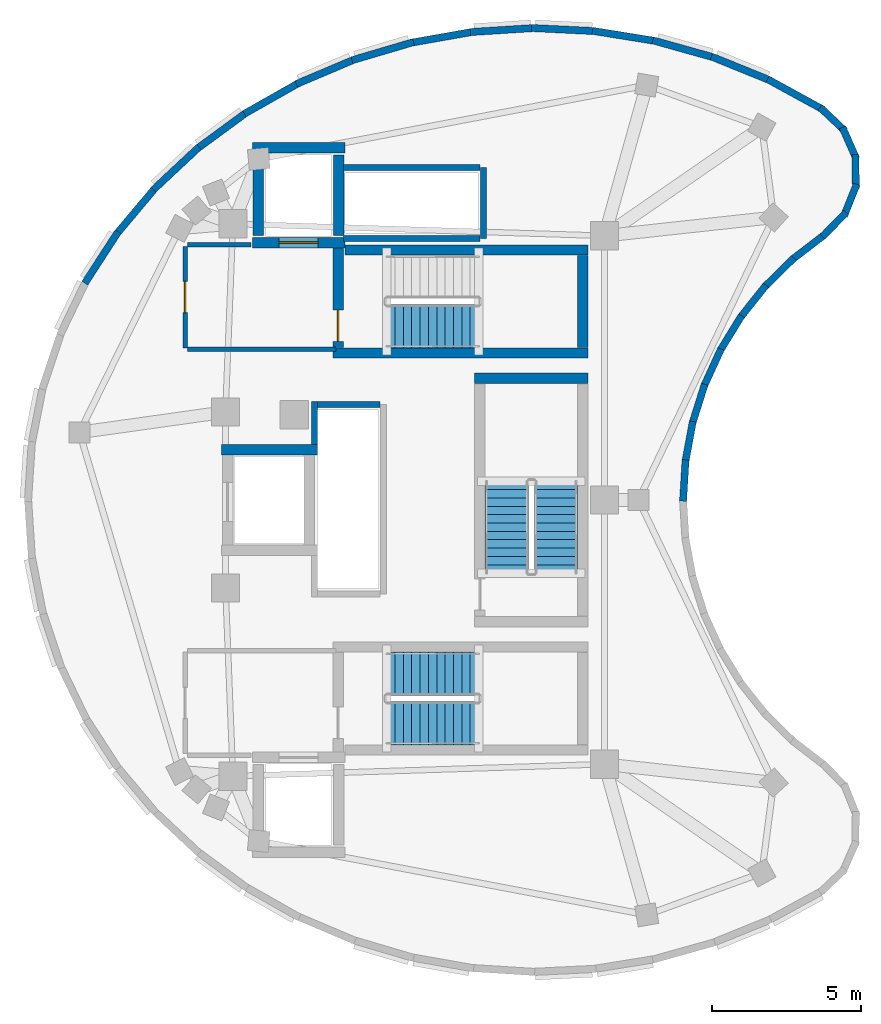
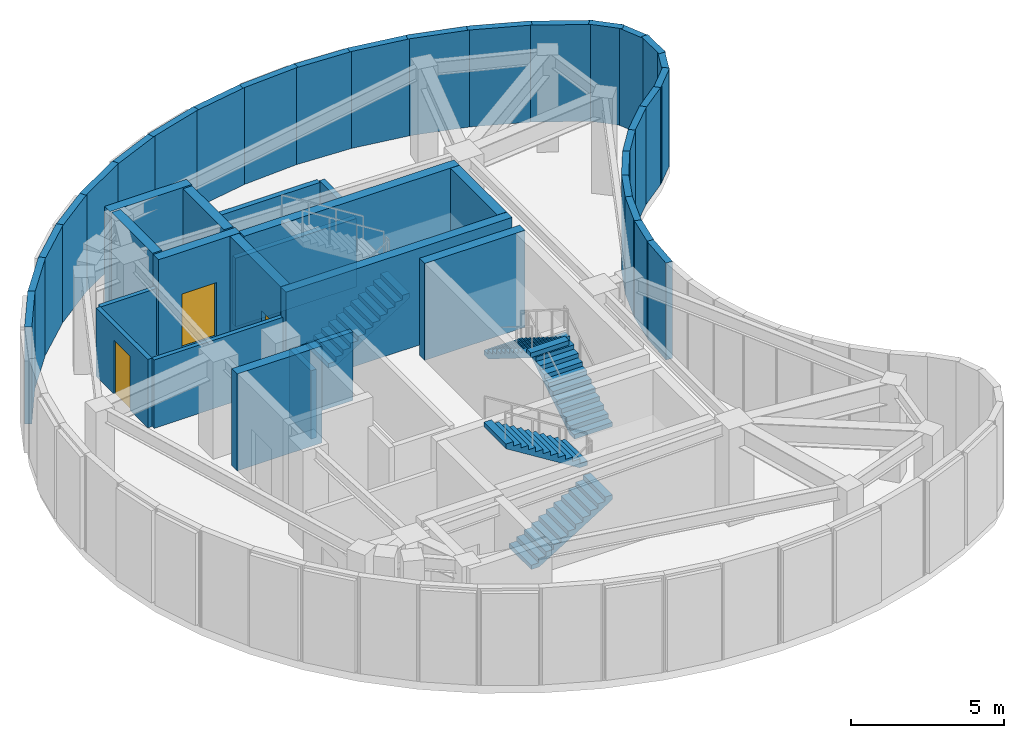
# One storey, part 3 of 5: 45 walls, 5 stair flights, 3 doors, 3 openings, 3 elements without a shape of their own.
"""IFC4 building model written with IfcOpenShell, lengths in metres."""

import ifcopenshell
import ifcopenshell.guid

model = None  # the IFC model being written
_history = None  # IfcOwnerHistory: only IFC2X3 demands one
_inside = {}  # id of a spatial element -> (the spatial element, [elements in it])
_under = {}  # id of a project, library or spatial element -> (it, [spatial elements below it])
_declared = {}  # id of a project -> (the project, [libraries it declares])
_typed = {}  # id of a type object -> (the type object, [elements of that type])
_made_of = {}  # id of a material, layer set ... -> (it, [elements and type objects made of it])


def new_model(schema):
    """Start an empty IFC model of exactly this schema.

    Asked for "IFC4X3", IfcOpenShell would pick the latest addendum, in which some entities
    have other attributes; the version numbers below select the first issue.
    IFC2X3 requires an IfcOwnerHistory on every rooted entity: one is made here for all.
    """
    global model, _history
    if schema == "IFC4X3":
        model = ifcopenshell.file(schema_version=(4, 3, 0, 0))
    else:
        model = ifcopenshell.file(schema=schema)
    _inside.clear()
    _under.clear()
    _declared.clear()
    _typed.clear()
    _made_of.clear()
    _history = None
    if model.schema == "IFC2X3":
        org = make("IfcOrganization", Name="unknown")
        user = make(
            "IfcPersonAndOrganization",
            ThePerson=make("IfcPerson", FamilyName="unknown"),
            TheOrganization=org,
        )
        app = make(
            "IfcApplication",
            ApplicationDeveloper=org,
            Version="unknown",
            ApplicationFullName="unknown",
            ApplicationIdentifier="unknown",
        )
        _history = make(
            "IfcOwnerHistory",
            OwningUser=user,
            OwningApplication=app,
            ChangeAction="ADDED",
            CreationDate=0,
        )
    return model


def make(cls, **values):
    """One entity of the class cls with the attributes given. An attribute that is None is left unset."""
    return model.create_entity(
        cls, **{name: value for name, value in values.items() if value is not None}
    )


def rooted(cls, **values):
    """An entity with a GlobalId (a new one), such as an element, a storey or a relation."""
    return make(cls, GlobalId=ifcopenshell.guid.new(), OwnerHistory=_history, **values)


def si_unit(unit_type, name, prefix=None):
    """IfcSIUnit, for example si_unit("LENGTHUNIT", "METRE", prefix="MILLI")."""
    return make("IfcSIUnit", UnitType=unit_type, Prefix=prefix, Name=name)


def assignment(units):
    """IfcUnitAssignment: the units of a project."""
    return None if units is None else make("IfcUnitAssignment", Units=units)


def point(xyz):
    """IfcCartesianPoint."""
    return None if xyz is None else make("IfcCartesianPoint", Coordinates=xyz)


def direction(xyz):
    """IfcDirection."""
    return None if xyz is None else make("IfcDirection", DirectionRatios=xyz)


def frame(location, z_axis=None, x_axis=None):
    """IfcAxis2Placement3D, a coordinate frame: its origin and axes. An axis left out is left unset."""
    return make(
        "IfcAxis2Placement3D",
        Location=point(location),
        Axis=direction(z_axis),
        RefDirection=direction(x_axis),
    )


def frame_2d(location, x_axis=None):
    """IfcAxis2Placement2D, a coordinate frame in the plane: its origin and x axis."""
    return make(
        "IfcAxis2Placement2D", Location=point(location), RefDirection=direction(x_axis)
    )


def origin():
    """The frame at (0, 0, 0) with its axes left unset."""
    return frame((0.0, 0.0, 0.0))


def place(relative_to, where):
    """IfcLocalPlacement: puts the frame where relative to a parent placement (None: the world)."""
    return make(
        "IfcLocalPlacement", PlacementRelTo=relative_to, RelativePlacement=where
    )


def context(
    kind, dimensions, precision=None, world=None, true_north=None, identifier=None
):
    """IfcGeometricRepresentationContext, for example the 3D "Model" context."""
    return make(
        "IfcGeometricRepresentationContext",
        ContextIdentifier=identifier,
        ContextType=kind,
        CoordinateSpaceDimension=dimensions,
        Precision=precision,
        WorldCoordinateSystem=world,
        TrueNorth=true_north,
    )


def subcontext(parent, identifier, kind, view, scale=None):
    """IfcGeometricRepresentationSubContext, for example "Body" below "Model"."""
    return make(
        "IfcGeometricRepresentationSubContext",
        ContextIdentifier=identifier,
        ContextType=kind,
        ParentContext=parent,
        TargetScale=scale,
        TargetView=view,
    )


def project(units=None, contexts=None):
    """IfcProject with its units and contexts."""
    return rooted(
        "IfcProject",
        Name="project",
        RepresentationContexts=contexts,
        UnitsInContext=assignment(units),
    )


def spatial(cls, under=None, at=None, **own):
    """A site, building, storey or space (cls), placed at a placement, below another one or the project."""
    s = rooted(cls, ObjectPlacement=at, **own)
    if under is not None:
        _under.setdefault(under.id(), (under, []))[1].append(s)
    return s


def polyline(points):
    """IfcPolyline through the points."""
    return make("IfcPolyline", Points=[point(p) for p in points])


def profile(cls, at=None, kind="AREA", **sizes):
    """A parametric profile (cls). Its sizes go by their IFC names, for example OverallWidth=200.0."""
    return make(cls, ProfileType=kind, Position=at, **sizes)


def rectangle(**sizes):
    """IfcRectangleProfileDef."""
    return profile("IfcRectangleProfileDef", **sizes)


def outline(outer, holes=None, kind="AREA"):
    """IfcArbitraryClosedProfileDef: a profile drawn as a closed curve; with holes, ...WithVoids."""
    if holes is None:
        return make("IfcArbitraryClosedProfileDef", ProfileType=kind, OuterCurve=outer)
    return make(
        "IfcArbitraryProfileDefWithVoids",
        ProfileType=kind,
        OuterCurve=outer,
        InnerCurves=holes,
    )


def extrude(swept, where, along, depth):
    """IfcExtrudedAreaSolid: the profile swept, set in the frame where, extruded along a direction by depth."""
    return make(
        "IfcExtrudedAreaSolid",
        SweptArea=swept,
        Position=where,
        ExtrudedDirection=direction(along),
        Depth=depth,
    )


def shape(context_of_items, identifier, shape_type, items):
    """IfcShapeRepresentation: the items that make up one representation, for example the "Body"."""
    return make(
        "IfcShapeRepresentation",
        ContextOfItems=context_of_items,
        RepresentationIdentifier=identifier,
        RepresentationType=shape_type,
        Items=items,
    )


def material(Name=None, Category=None):
    """IfcMaterial."""
    return make("IfcMaterial", Name=Name, Category=Category)


def layer(
    of_material, thickness, ventilated=None, Name=None, Category=None, Priority=None
):
    """IfcMaterialLayer: one layer of a wall or slab, of a material (None: an air gap)."""
    return make(
        "IfcMaterialLayer",
        Material=of_material,
        LayerThickness=thickness,
        IsVentilated=ventilated,
        Name=Name,
        Category=Category,
        Priority=Priority,
    )


def layer_set(layers, Name=None):
    """IfcMaterialLayerSet."""
    return make("IfcMaterialLayerSet", MaterialLayers=layers, LayerSetName=Name)


def made_of(thing, what):
    """Note that an element or type object is made of a material, layer set ...; save() writes the relation."""
    if what is not None:
        _made_of.setdefault(what.id(), (what, []))[1].append(thing)
    return thing


def type_object(cls, material=None, **own):
    """A type object (cls), such as IfcWallType, which elements share."""
    return made_of(rooted(cls, **own), material)


def element(
    cls,
    number,
    at=None,
    inside=None,
    cuts=None,
    type_object=None,
    material=None,
    context=None,
    identifier="Body",
    shape_type=None,
    held_by="IfcProductDefinitionShape",
    body=None,
    shapes=None,
    **own,
):
    """One element of the class cls, such as IfcWall. Its Tag is "e" and its number.

    at: its placement. inside: the storey or other place that contains it. cuts: it is an
    opening in that element (IfcRelVoidsElement). A single representation is given by context,
    identifier, shape_type and body (its items); several are given by shapes. held_by: the class
    of the entity that holds the representations. save() writes the other relations.
    """
    e = rooted(cls, Tag="e%d" % number, ObjectPlacement=at, **own)
    if body is not None:
        shapes = [shape(context, identifier, shape_type, body)]
    if shapes is not None:
        e.Representation = make(held_by, Representations=shapes)
    if inside is not None:
        _inside.setdefault(inside.id(), (inside, []))[1].append(e)
    if cuts is not None:
        rooted(
            "IfcRelVoidsElement", RelatingBuildingElement=cuts, RelatedOpeningElement=e
        )
    if type_object is not None:
        _typed.setdefault(type_object.id(), (type_object, []))[1].append(e)
    return made_of(e, material)


def fill(opening, filler):
    """IfcRelFillsElement: the door or window that sits in an opening."""
    return rooted(
        "IfcRelFillsElement",
        RelatingOpeningElement=opening,
        RelatedBuildingElement=filler,
    )


def aggregate(whole, parts):
    """IfcRelAggregates: a whole, such as a stair, and the parts it consists of."""
    return rooted("IfcRelAggregates", RelatingObject=whole, RelatedObjects=parts)


def save(model, path):
    """Write the relations noted so far, then the file.

    IfcRelAggregates (storeys below a building ...), IfcRelContainedInSpatialStructure (elements
    in a storey), IfcRelDefinesByType, IfcRelAssociatesMaterial and IfcRelDeclares: one each for
    every whole, place, type object, material and project.
    """
    for whole, parts in _under.values():
        aggregate(whole, parts)
    for where, things in _inside.values():
        rooted(
            "IfcRelContainedInSpatialStructure",
            RelatedElements=things,
            RelatingStructure=where,
        )
    for kind, things in _typed.values():
        rooted("IfcRelDefinesByType", RelatedObjects=things, RelatingType=kind)
    for what, things in _made_of.values():
        rooted("IfcRelAssociatesMaterial", RelatedObjects=things, RelatingMaterial=what)
    for by, libraries in _declared.values():
        rooted("IfcRelDeclares", RelatingContext=by, RelatedDefinitions=libraries)
    model.write(path)


model = new_model("IFC4")

# Units and contexts
model_context = context("Model", 3, precision=1e-05, world=origin(), true_north=direction((0.0, 1.0)))
body_context = subcontext(model_context, "Body", "Model", "MODEL_VIEW")
ifc_project = project(units=[si_unit("LENGTHUNIT", "METRE"), si_unit("AREAUNIT", "SQUARE_METRE"), si_unit("VOLUMEUNIT", "CUBIC_METRE"), si_unit("PLANEANGLEUNIT", "RADIAN"), si_unit("MASSUNIT", "GRAM", prefix="KILO")], contexts=[model_context])

# Site, building, storey
site_placement = place(None, origin())
site = spatial("IfcSite", under=ifc_project, at=site_placement, CompositionType="ELEMENT")
building_placement = place(site_placement, origin())
building = spatial("IfcBuilding", under=site, at=building_placement, Name="Korentha Bioscience Tower", CompositionType="ELEMENT")
storey_placement = place(building_placement, frame((0.0, 0.0, 335.39990234375)))
storey = spatial("IfcBuildingStorey", under=building, at=storey_placement, Name="L77", CompositionType="ELEMENT", Elevation=335.39990234375)

# Wall, opening, door
ifc_material_1 = material(Name="Gypsum-Clad Steel Stud", Category="steel")
ifc_layer_1 = layer(ifc_material_1, 0.159912109375, Name="Gypsum-Clad Steel Stud")
ifc_layer_set_1 = layer_set([ifc_layer_1], Name="Gypsum-Clad Steel Stud (IW-C160)")
wall_type_1 = type_object("IfcWallType", Name="Fire-Rated Corridor Partition Wall 160", PredefinedType="PARTITIONING", material=ifc_layer_set_1)
wall_1_placement = place(storey_placement, frame((23.5, 32.10009765625, 0.0), z_axis=(0.0, 0.0, 1.0), x_axis=(0.0, 1.0, 0.0)))
wall_1 = element("IfcWall", 1, at=wall_1_placement, inside=storey, type_object=wall_type_1, Name="L77 FFLN-CW Rated Enclosure Wall", PredefinedType="PARTITIONING", context=body_context, shape_type="SweptSolid", body=[
    extrude(rectangle(XDim=3.39990234375, YDim=0.159912109375, at=frame_2d((1.699951171875, 0.0))), origin(), (0.0, 0.0, 1.0), 2.739990234375),
])
opening_1_placement = place(wall_1_placement, frame((1.175048828125, 0.0, 0.0)))
opening_1 = element("IfcOpeningElement", 2, at=opening_1_placement, cuts=wall_1, Name="Opening FD-90R", PredefinedType="OPENING", context=body_context, shape_type="SweptSolid", body=[
    extrude(rectangle(XDim=1.050048828125, YDim=2.14990234375, at=frame_2d((0.52490234375, 1.074951171875))), frame((0.0, 0.0947265625, 0.0), z_axis=(0.0, -1.0, 0.0), x_axis=(1.0, 0.0, 0.0)), (0.0, 0.0, 1.0), 0.189697265625),
])
ifc_material_2 = material(Name="Powder-Coated Fire-Rated Steel", Category="steel")
door_type_1 = type_object("IfcDoorType", Name="Stairwell Fire Exit Door 1050x2150 Right", OperationType="SINGLE_SWING_RIGHT", PredefinedType="DOOR", material=ifc_material_2)
door_1_placement = place(opening_1_placement, origin())
door_1 = element("IfcDoor", 3, at=door_1_placement, inside=storey, type_object=door_type_1, Name="L77 North Firefighting Lobby Door", OperationType="SINGLE_SWING_RIGHT", OverallHeight=2.14990234375, OverallWidth=1.050048828125, PredefinedType="DOOR", context=body_context, shape_type="SweptSolid", body=[
    extrude(rectangle(XDim=1.050048828125, YDim=2.14990234375, at=frame_2d((0.52490234375, 1.074951171875))), frame((0.0, 0.02490234375, 0.0), z_axis=(0.0, -1.0, 0.0), x_axis=(1.0, 0.0, 0.0)), (0.0, 0.0, 1.0), 0.050048828125),
])
fill(opening_1, door_1)

# Walls
wall_2_placement = place(storey_placement, frame((23.580078125, 32.050048828125, 0.0), z_axis=(0.0, 0.0, 1.0), x_axis=(1.0, 0.0, 0.0)))
element("IfcWall", 4, at=wall_2_placement, inside=storey, type_object=wall_type_1, Name="L77 Firefighting Lobby Return Wall FFLN-S", PredefinedType="PARTITIONING", context=body_context, shape_type="SweptSolid", body=[
    extrude(rectangle(XDim=4.969970703125, YDim=0.159912109375, at=frame_2d((2.48486328125, 0.0))), origin(), (0.0, 0.0, 1.0), 2.739990234375),
])
wall_3_placement = place(storey_placement, frame((23.580078125, 35.550048828125, 0.0), z_axis=(0.0, 0.0, 1.0), x_axis=(1.0, 0.0, 0.0)))
element("IfcWall", 5, at=wall_3_placement, inside=storey, type_object=wall_type_1, Name="L77 Firefighting Lobby Return Wall FFLN-N", PredefinedType="PARTITIONING", context=body_context, shape_type="SweptSolid", body=[
    extrude(rectangle(XDim=2.119873046875, YDim=0.159912109375, at=frame_2d((1.06005859375, 0.0))), origin(), (0.0, 0.0, 1.0), 2.739990234375),
])
ifc_material_3 = material(Name="Autoclaved Aerated Concrete Block C25", Category="concrete")
ifc_layer_2 = layer(ifc_material_3, 0.199951171875, Name="Autoclaved Aerated Concrete Block C25")
ifc_layer_set_2 = layer_set([ifc_layer_2], Name="Autoclaved Aerated Concrete Block C25 (IW-S200)")
wall_type_2 = type_object("IfcWallType", Name="Lift and Riser Shaft Enclosure Wall 200", PredefinedType="PARTITIONING", material=ifc_layer_set_2)
wall_4_placement = place(storey_placement, frame((27.830078125, 28.85888671875, 0.0), z_axis=(0.0, 0.0, 1.0), x_axis=(0.0, 1.0, 0.0)))
element("IfcWall", 6, at=wall_4_placement, inside=storey, type_object=wall_type_2, Name="L77 Lift Bank HIGH Shaft Wall -XN", PredefinedType="PARTITIONING", context=body_context, shape_type="SweptSolid", body=[
    extrude(rectangle(XDim=1.441162109375, YDim=0.199951171875, at=frame_2d((0.720703125, 0.0))), origin(), (0.0, 0.0, 1.0), 2.739990234375),
])
wall_5_placement = place(storey_placement, frame((27.93408203125, 30.199951171875, 0.0), z_axis=(0.0, 0.0, 1.0), x_axis=(1.0, 0.0, 0.0)))
element("IfcWall", 7, at=wall_5_placement, inside=storey, type_object=wall_type_2, Name="L77 Lift Bank HIGH Shaft Wall +Y", PredefinedType="PARTITIONING", context=body_context, shape_type="SweptSolid", body=[
    extrude(rectangle(XDim=2.095947265625, YDim=0.199951171875, at=frame_2d((1.0478515625, 0.0))), origin(), (0.0, 0.0, 1.0), 2.739990234375),
])
wall_6_placement = place(storey_placement, frame((33.489990234375, 35.760009765625, 0.0), z_axis=(0.0, 0.0, 1.0), x_axis=(0.0, 1.0, 0.0)))
element("IfcWall", 8, at=wall_6_placement, inside=storey, type_object=wall_type_2, Name="L77 Lift Bank OBS Shaft Wall +X", PredefinedType="PARTITIONING", context=body_context, shape_type="SweptSolid", body=[
    extrude(rectangle(XDim=2.3798828125, YDim=0.199951171875, at=frame_2d((1.18994140625, 0.0))), origin(), (0.0, 0.0, 1.0), 2.739990234375),
])
for number, where, z_axis, x_axis, name in (
    (9, (28.800048828125, 35.760009765625, 0.0), (0.0, 0.0, 1.0), (1.0, 0.0, 0.0), "L77 Lift Bank OBS Shaft Wall -Y"),
    (10, (28.800048828125, 38.139892578125, 0.0), (0.0, 0.0, 1.0), (1.0, 0.0, 0.0), "L77 Lift Bank OBS Shaft Wall +Y"),
):
    element("IfcWall", number, at=place(storey_placement, frame(where, z_axis=z_axis, x_axis=x_axis)), inside=storey, type_object=wall_type_2, Name=name, PredefinedType="PARTITIONING", context=body_context, shape_type="SweptSolid", body=[
        extrude(rectangle(XDim=4.570068359375, YDim=0.199951171875, at=frame_2d((2.28515625, 0.0))), origin(), (0.0, 0.0, 1.0), 2.739990234375),
    ])
ifc_material_4 = material(Name="Insulated Precast Concrete C40", Category="concrete")
ifc_layer_3 = layer(ifc_material_4, 0.239990234375, Name="Insulated Precast Concrete C40")
ifc_layer_set_3 = layer_set([ifc_layer_3], Name="Insulated Precast Concrete C40 (EW-PL240)")
wall_type_3 = type_object("IfcWallType", Name="Plant Acoustic Louvre Backup Wall 240", PredefinedType="STANDARD", material=ifc_layer_set_3)
wall_7_placement = place(storey_placement, frame((44.876708984375, 40.077392578125, 0.0), z_axis=(0.0, 0.0, 1.0), x_axis=(-0.877104331714, 0.480299897241, 0.0)))
element("IfcWall", 11, at=wall_7_placement, inside=storey, type_object=wall_type_3, Name="L77 Plant Louvre Backup Wall 01", PredefinedType="STANDARD", context=body_context, shape_type="SweptSolid", body=[
    extrude(rectangle(XDim=2.125732421875, YDim=0.239990234375, at=frame_2d((1.06298828125, 0.0))), origin(), (0.0, 0.0, 1.0), 3.880126953125),
])
wall_8_placement = place(storey_placement, frame((43.11474609375, 41.0498046875, 0.0), z_axis=(0.0, 0.0, 1.0), x_axis=(-0.926393219555, 0.376557568988, 0.0)))
element("IfcWall", 12, at=wall_8_placement, inside=storey, type_object=wall_type_3, Name="L77 Plant Louvre Backup Wall 02", PredefinedType="STANDARD", context=body_context, shape_type="SweptSolid", body=[
    extrude(rectangle(XDim=2.14013671875, YDim=0.239990234375, at=frame_2d((1.070068359375, 0.0))), origin(), (0.0, 0.0, 1.0), 3.880126953125),
])
wall_9_placement = place(storey_placement, frame((41.239501953125, 41.819091796875, 0.0), z_axis=(0.0, 0.0, 1.0), x_axis=(-0.963062950867, 0.269276349995, 0.0)))
element("IfcWall", 13, at=wall_9_placement, inside=storey, type_object=wall_type_3, Name="L77 Plant Louvre Backup Wall 03", PredefinedType="STANDARD", context=body_context, shape_type="SweptSolid", body=[
    extrude(rectangle(XDim=2.151611328125, YDim=0.239990234375, at=frame_2d((1.07568359375, 0.0))), origin(), (0.0, 0.0, 1.0), 3.880126953125),
])
wall_10_placement = place(storey_placement, frame((39.2783203125, 42.374267578125, 0.0), z_axis=(0.0, 0.0, 1.0), x_axis=(-0.987188885728, 0.159555958507, 0.0)))
element("IfcWall", 14, at=wall_10_placement, inside=storey, type_object=wall_type_3, Name="L77 Plant Louvre Backup Wall 04", PredefinedType="STANDARD", context=body_context, shape_type="SweptSolid", body=[
    extrude(rectangle(XDim=2.158935546875, YDim=0.239990234375, at=frame_2d((1.07958984375, 0.0))), origin(), (0.0, 0.0, 1.0), 3.880126953125),
])
wall_11_placement = place(storey_placement, frame((37.259521484375, 42.70703125, 0.0), z_axis=(0.0, 0.0, 1.0), x_axis=(-0.998821443964, 0.048535791717, 0.0)))
element("IfcWall", 15, at=wall_11_placement, inside=storey, type_object=wall_type_3, Name="L77 Plant Louvre Backup Wall 05", PredefinedType="STANDARD", context=body_context, shape_type="SweptSolid", body=[
    extrude(rectangle(XDim=2.162841796875, YDim=0.239990234375, at=frame_2d((1.08154296875, 0.0))), origin(), (0.0, 0.0, 1.0), 3.880126953125),
])
wall_12_placement = place(storey_placement, frame((35.21240234375, 42.81298828125, 0.0), z_axis=(0.0, 0.0, 1.0), x_axis=(-0.998014625109, -0.062982601313, 0.0)))
element("IfcWall", 16, at=wall_12_placement, inside=storey, type_object=wall_type_3, Name="L77 Plant Louvre Backup Wall 06", PredefinedType="STANDARD", context=body_context, shape_type="SweptSolid", body=[
    extrude(rectangle(XDim=2.1630859375, YDim=0.239990234375, at=frame_2d((1.08154296875, 0.0))), origin(), (0.0, 0.0, 1.0), 3.880126953125),
])
wall_13_placement = place(storey_placement, frame((33.166259765625, 42.690185546875, 0.0), z_axis=(0.0, 0.0, 1.0), x_axis=(-0.98475165837, -0.173966006268, 0.0)))
element("IfcWall", 17, at=wall_13_placement, inside=storey, type_object=wall_type_3, Name="L77 Plant Louvre Backup Wall 07", PredefinedType="STANDARD", context=body_context, shape_type="SweptSolid", body=[
    extrude(rectangle(XDim=2.158447265625, YDim=0.239990234375, at=frame_2d((1.0791015625, 0.0))), origin(), (0.0, 0.0, 1.0), 3.880126953125),
])
wall_14_placement = place(storey_placement, frame((31.151123046875, 42.3408203125, 0.0), z_axis=(0.0, 0.0, 1.0), x_axis=(-0.959030329597, -0.283303418464, 0.0)))
element("IfcWall", 18, at=wall_14_placement, inside=storey, type_object=wall_type_3, Name="L77 Plant Louvre Backup Wall 08", PredefinedType="STANDARD", context=body_context, shape_type="SweptSolid", body=[
    extrude(rectangle(XDim=2.150146484375, YDim=0.239990234375, at=frame_2d((1.0751953125, 0.0))), origin(), (0.0, 0.0, 1.0), 3.880126953125),
])
wall_15_placement = place(storey_placement, frame((29.19580078125, 41.769775390625, 0.0), z_axis=(0.0, 0.0, 1.0), x_axis=(-0.920708614344, -0.390250749483, 0.0)))
element("IfcWall", 19, at=wall_15_placement, inside=storey, type_object=wall_type_3, Name="L77 Plant Louvre Backup Wall 09", PredefinedType="STANDARD", context=body_context, shape_type="SweptSolid", body=[
    extrude(rectangle(XDim=2.13818359375, YDim=0.239990234375, at=frame_2d((1.069091796875, 0.0))), origin(), (0.0, 0.0, 1.0), 3.880126953125),
])
wall_16_placement = place(storey_placement, frame((27.328857421875, 40.985595703125, 0.0), z_axis=(0.0, 0.0, 1.0), x_axis=(-0.869823249447, -0.493363471207, 0.0)))
element("IfcWall", 20, at=wall_16_placement, inside=storey, type_object=wall_type_3, Name="L77 Plant Louvre Backup Wall 10", PredefinedType="STANDARD", context=body_context, shape_type="SweptSolid", body=[
    extrude(rectangle(XDim=2.123779296875, YDim=0.239990234375, at=frame_2d((1.06201171875, 0.0))), origin(), (0.0, 0.0, 1.0), 3.880126953125),
])
wall_17_placement = place(storey_placement, frame((25.5771484375, 39.99951171875, 0.0), z_axis=(0.0, 0.0, 1.0), x_axis=(-0.806349743637, -0.591439000182, 0.0)))
element("IfcWall", 21, at=wall_17_placement, inside=storey, type_object=wall_type_3, Name="L77 Plant Louvre Backup Wall 11", PredefinedType="STANDARD", context=body_context, shape_type="SweptSolid", body=[
    extrude(rectangle(XDim=2.107177734375, YDim=0.239990234375, at=frame_2d((1.0537109375, 0.0))), origin(), (0.0, 0.0, 1.0), 3.880126953125),
])
wall_18_placement = place(storey_placement, frame((23.9658203125, 38.825927734375, 0.0), z_axis=(0.0, 0.0, 1.0), x_axis=(-0.730538342308, -0.68287167932, 0.0)))
element("IfcWall", 22, at=wall_18_placement, inside=storey, type_object=wall_type_3, Name="L77 Plant Louvre Backup Wall 12", PredefinedType="STANDARD", context=body_context, shape_type="SweptSolid", body=[
    extrude(rectangle(XDim=2.089599609375, YDim=0.239990234375, at=frame_2d((1.044921875, 0.0))), origin(), (0.0, 0.0, 1.0), 3.880126953125),
])
wall_19_placement = place(storey_placement, frame((22.51806640625, 37.48193359375, 0.0), z_axis=(0.0, 0.0, 1.0), x_axis=(-0.642719373216, -0.766101695137, 0.0)))
element("IfcWall", 23, at=wall_19_placement, inside=storey, type_object=wall_type_3, Name="L77 Plant Louvre Backup Wall 13", PredefinedType="STANDARD", context=body_context, shape_type="SweptSolid", body=[
    extrude(rectangle(XDim=2.07177734375, YDim=0.239990234375, at=frame_2d((1.035888671875, 0.0))), origin(), (0.0, 0.0, 1.0), 3.880126953125),
])
wall_20_placement = place(storey_placement, frame((21.254638671875, 35.98681640625, 0.0), z_axis=(0.0, 0.0, 1.0), x_axis=(-0.54368472545, -0.839289532469, 0.0)))
element("IfcWall", 24, at=wall_20_placement, inside=storey, type_object=wall_type_3, Name="L77 Plant Louvre Backup Wall 14", PredefinedType="STANDARD", context=body_context, shape_type="SweptSolid", body=[
    extrude(rectangle(XDim=2.054931640625, YDim=0.239990234375, at=frame_2d((1.02734375, 0.0))), origin(), (0.0, 0.0, 1.0), 3.880126953125),
])
wall_21_placement = place(storey_placement, frame((40.1806640625, 26.95751953125, 0.0), z_axis=(0.0, 0.0, 1.0), x_axis=(0.061056554622, 0.998134308166, 0.0)))
element("IfcWall", 25, at=wall_21_placement, inside=storey, type_object=wall_type_3, Name="L77 Plant Louvre Backup Wall 50", PredefinedType="STANDARD", context=body_context, shape_type="SweptSolid", body=[
    extrude(rectangle(XDim=1.3916015625, YDim=0.239990234375, at=frame_2d((0.69580078125, 0.0))), origin(), (0.0, 0.0, 1.0), 3.880126953125),
])
wall_22_placement = place(storey_placement, frame((40.25537109375, 28.261962890625, 0.0), z_axis=(0.0, 0.0, 1.0), x_axis=(0.182126958243, 0.983275023115, 0.0)))
element("IfcWall", 26, at=wall_22_placement, inside=storey, type_object=wall_type_3, Name="L77 Plant Louvre Backup Wall 51", PredefinedType="STANDARD", context=body_context, shape_type="SweptSolid", body=[
    extrude(rectangle(XDim=1.391357421875, YDim=0.239990234375, at=frame_2d((0.69580078125, 0.0))), origin(), (0.0, 0.0, 1.0), 3.880126953125),
])
for number, where, z_axis, x_axis, name in (
    (27, (40.48828125, 29.547607421875, 0.0), (0.0, 0.0, 1.0), (0.300711509851, 0.953715150264, 0.0), "L77 Plant Louvre Backup Wall 52"),
    (28, (40.876220703125, 30.795166015625, 0.0), (0.0, 0.0, 1.0), (0.41456945509, 0.910017673953, 0.0), "L77 Plant Louvre Backup Wall 53"),
    (29, (41.413330078125, 31.986328125, 0.0), (0.0, 0.0, 1.0), (0.522471546172, 0.85265672075, 0.0), "L77 Plant Louvre Backup Wall 54"),
    (30, (42.091552734375, 33.10302734375, 0.0), (0.0, 0.0, 1.0), (0.622467396211, 0.782645731257, 0.0), "L77 Plant Louvre Backup Wall 55"),
    (31, (42.90087890625, 34.12890625, 0.0), (0.0, 0.0, 1.0), (0.713307196779, 0.700851512821, 0.0), "L77 Plant Louvre Backup Wall 56"),
    (32, (43.8291015625, 35.04833984375, 0.0), (0.0, 0.0, 1.0), (0.793340854113, 0.608777700967, 0.0), "L77 Plant Louvre Backup Wall 57"),
):
    element("IfcWall", number, at=place(storey_placement, frame(where, z_axis=z_axis, x_axis=x_axis)), inside=storey, type_object=wall_type_3, Name=name, PredefinedType="STANDARD", context=body_context, shape_type="SweptSolid", body=[
        extrude(rectangle(XDim=1.3916015625, YDim=0.239990234375, at=frame_2d((0.69580078125, 0.0))), origin(), (0.0, 0.0, 1.0), 3.880126953125),
    ])
for number, where, z_axis, x_axis, name in (
    (33, (44.845947265625, 35.818603515625, 0.0), (0.0, 0.0, 1.0), (0.702188326868, 0.711991259504, 0.0), "L77 Plant Louvre Backup Wall 58"),
    (34, (45.57080078125, 36.5126953125, 0.0), (0.0, 0.0, 1.0), (0.371684619002, 0.928359059846, 0.0), "L77 Plant Louvre Backup Wall 59"),
):
    element("IfcWall", number, at=place(storey_placement, frame(where, z_axis=z_axis, x_axis=x_axis)), inside=storey, type_object=wall_type_3, Name=name, PredefinedType="STANDARD", context=body_context, shape_type="SweptSolid", body=[
        extrude(rectangle(XDim=1.1455078125, YDim=0.239990234375, at=frame_2d((0.57275390625, 0.0))), origin(), (0.0, 0.0, 1.0), 3.880126953125),
    ])
for number, where, z_axis, x_axis, name in (
    (35, (45.97021484375, 37.43310546875, 0.0), (0.0, 0.0, 1.0), (-0.017047820552, 0.999854675348, 0.0), "L77 Plant Louvre Backup Wall 60"),
    (36, (45.981689453125, 38.4365234375, 0.0), (0.0, 0.0, 1.0), (-0.40313130284, 0.915142148888, 0.0), "L77 Plant Louvre Backup Wall 61"),
):
    element("IfcWall", number, at=place(storey_placement, frame(where, z_axis=z_axis, x_axis=x_axis)), inside=storey, type_object=wall_type_3, Name=name, PredefinedType="STANDARD", context=body_context, shape_type="SweptSolid", body=[
        extrude(rectangle(XDim=1.145751953125, YDim=0.239990234375, at=frame_2d((0.57275390625, 0.0))), origin(), (0.0, 0.0, 1.0), 3.880126953125),
    ])
wall_23_placement = place(storey_placement, frame((45.603515625, 39.3662109375, 0.0), z_axis=(0.0, 0.0, 1.0), x_axis=(-0.726131874639, 0.68755545277, 0.0)))
element("IfcWall", 37, at=wall_23_placement, inside=storey, type_object=wall_type_3, Name="L77 Plant Louvre Backup Wall 62", PredefinedType="STANDARD", context=body_context, shape_type="SweptSolid", body=[
    extrude(rectangle(XDim=1.1455078125, YDim=0.239990234375, at=frame_2d((0.57275390625, 0.0))), origin(), (0.0, 0.0, 1.0), 3.880126953125),
])
ifc_material_5 = material(Name="Concrete C50", Category="concrete")
ifc_layer_4 = layer(ifc_material_5, 0.35009765625, Name="Concrete C50")
ifc_layer_set_4 = layer_set([ifc_layer_4], Name="Concrete C50 (CW-C50)")
wall_type_4 = type_object("IfcWallType", Name="Upper Core Shear Wall 350", PredefinedType="SHEAR", material=ifc_layer_set_4)
wall_24_placement = place(storey_placement, frame((28.85205078125, 35.375, 0.0), z_axis=(0.0, 0.0, 1.0), x_axis=(1.0, 0.0, 0.0)))
element("IfcWall", 38, at=wall_24_placement, inside=storey, type_object=wall_type_4, Name="L77 Core Shear Wall ST1-N", PredefinedType="SHEAR", context=body_context, shape_type="SweptSolid", body=[
    extrude(rectangle(XDim=8.14794921875, YDim=0.35009765625, at=frame_2d((4.073974609375, 0.0))), origin(), (0.0, 0.0, 1.0), 3.880126953125),
])
wall_25_placement = place(storey_placement, frame((28.449951171875, 31.925048828125, 0.0), z_axis=(0.0, 0.0, 1.0), x_axis=(1.0, 0.0, 0.0)))
element("IfcWall", 39, at=wall_25_placement, inside=storey, type_object=wall_type_4, Name="L77 Core Shear Wall ST1-S", PredefinedType="SHEAR", context=body_context, shape_type="SweptSolid", body=[
    extrude(rectangle(XDim=8.550048828125, YDim=0.35009765625, at=frame_2d((4.27490234375, 0.0))), origin(), (0.0, 0.0, 1.0), 3.880126953125),
])
wall_26_placement = place(storey_placement, frame((36.824951171875, 32.110107421875, 0.0), z_axis=(0.0, 0.0, 1.0), x_axis=(0.0, 1.0, 0.0)))
element("IfcWall", 40, at=wall_26_placement, inside=storey, type_object=wall_type_4, Name="L77 Core Shear Wall ST1-E", PredefinedType="SHEAR", context=body_context, shape_type="SweptSolid", body=[
    extrude(rectangle(XDim=3.079833984375, YDim=0.35009765625, at=frame_2d((1.5400390625, 0.0))), origin(), (0.0, 0.0, 1.0), 3.880126953125),
])

# Wall, opening, door
wall_27_placement = place(storey_placement, frame((28.625, 32.110107421875, 0.0), z_axis=(0.0, 0.0, 1.0), x_axis=(0.0, 1.0, 0.0)))
wall_27 = element("IfcWall", 41, at=wall_27_placement, inside=storey, type_object=wall_type_4, Name="L77 Core Shear Wall ST1-W", PredefinedType="SHEAR", context=body_context, shape_type="SweptSolid", body=[
    extrude(rectangle(XDim=3.3330078125, YDim=0.35009765625, at=frame_2d((1.66650390625, 0.0))), origin(), (0.0, 0.0, 1.0), 3.880126953125),
])
opening_2_placement = place(wall_27_placement, frame((0.199951171875, 0.0, 0.0)))
opening_2 = element("IfcOpeningElement", 42, at=opening_2_placement, cuts=wall_27, Name="Opening FD-90R", PredefinedType="OPENING", context=body_context, shape_type="SweptSolid", body=[
    extrude(rectangle(XDim=1.050048828125, YDim=2.14990234375, at=frame_2d((0.52490234375, 1.074951171875))), frame((0.0, 0.18994140625, 0.0), z_axis=(0.0, -1.0, 0.0), x_axis=(1.0, 0.0, 0.0)), (0.0, 0.0, 1.0), 0.3798828125),
])
door_2_placement = place(opening_2_placement, origin())
door_2 = element("IfcDoor", 43, at=door_2_placement, inside=storey, type_object=door_type_1, Name="L77 ST-1 Fire Exit Stair Door", OperationType="SINGLE_SWING_RIGHT", OverallHeight=2.14990234375, OverallWidth=1.050048828125, PredefinedType="DOOR", context=body_context, shape_type="SweptSolid", body=[
    extrude(rectangle(XDim=1.050048828125, YDim=2.14990234375, at=frame_2d((0.52490234375, 1.074951171875))), frame((0.0, 0.02490234375, 0.0), z_axis=(0.0, -1.0, 0.0), x_axis=(1.0, 0.0, 0.0)), (0.0, 0.0, 1.0), 0.050048828125),
])
fill(opening_2, door_2)

# Walls
wall_28_placement = place(storey_placement, frame((33.199951171875, 31.074951171875, 0.0), z_axis=(0.0, 0.0, 1.0), x_axis=(1.0, 0.0, 0.0)))
element("IfcWall", 44, at=wall_28_placement, inside=storey, type_object=wall_type_4, Name="L77 Core Shear Wall ST3-N", PredefinedType="SHEAR", context=body_context, shape_type="SweptSolid", body=[
    extrude(rectangle(XDim=3.800048828125, YDim=0.35009765625, at=frame_2d((1.89990234375, 0.0))), origin(), (0.0, 0.0, 1.0), 3.880126953125),
])
wall_29_placement = place(storey_placement, frame((25.75, 38.800048828125, 0.0), z_axis=(0.0, 0.0, 1.0), x_axis=(1.0, 0.0, 0.0)))
element("IfcWall", 45, at=wall_29_placement, inside=storey, type_object=wall_type_4, Name="L77 Core Shear Wall FFL2-N", PredefinedType="SHEAR", context=body_context, shape_type="SweptSolid", body=[
    extrude(rectangle(XDim=3.10009765625, YDim=0.35009765625, at=frame_2d((1.550048828125, 0.0))), origin(), (0.0, 0.0, 1.0), 3.880126953125),
])

# Wall, opening, door
wall_30_placement = place(storey_placement, frame((25.75, 35.6201171875, 0.0), z_axis=(0.0, 0.0, 1.0), x_axis=(1.0, 0.0, 0.0)))
wall_30 = element("IfcWall", 46, at=wall_30_placement, inside=storey, type_object=wall_type_4, Name="L77 Core Shear Wall FFL2-S", PredefinedType="SHEAR", context=body_context, shape_type="SweptSolid", body=[
    extrude(rectangle(XDim=3.10009765625, YDim=0.35009765625, at=frame_2d((1.550048828125, 0.0))), origin(), (0.0, 0.0, 1.0), 3.880126953125),
])
opening_3_placement = place(wall_30_placement, frame((0.89990234375, 0.0, 0.0)))
opening_3 = element("IfcOpeningElement", 47, at=opening_3_placement, cuts=wall_30, Name="Opening LD-13", PredefinedType="OPENING", context=body_context, shape_type="SweptSolid", body=[
    extrude(rectangle(XDim=1.300048828125, YDim=2.199951171875, at=frame_2d((0.64990234375, 1.10009765625))), frame((0.0, 0.18994140625, 0.0), z_axis=(0.0, -1.0, 0.0), x_axis=(1.0, 0.0, 0.0)), (0.0, 0.0, 1.0), 0.3798828125),
])
ifc_material_6 = material(Name="Brushed Stainless Steel 316", Category="steel")
door_type_2 = type_object("IfcDoorType", Name="Service & Firefighting Lift Landing Door 1300x2300", OperationType="DOUBLE_DOOR_SLIDING", PredefinedType="DOOR", material=ifc_material_6)
door_3_placement = place(opening_3_placement, origin())
door_3 = element("IfcDoor", 48, at=door_3_placement, inside=storey, type_object=door_type_2, Name="L77 FFL-2 Sliding Lift Landing Door", OperationType="DOUBLE_DOOR_SLIDING", OverallHeight=2.199951171875, OverallWidth=1.300048828125, PredefinedType="DOOR", context=body_context, shape_type="SweptSolid", body=[
    extrude(rectangle(XDim=1.300048828125, YDim=2.199951171875, at=frame_2d((0.64990234375, 1.10009765625))), frame((0.0, 0.02490234375, 0.0), z_axis=(0.0, -1.0, 0.0), x_axis=(1.0, 0.0, 0.0)), (0.0, 0.0, 1.0), 0.050048828125),
])
fill(opening_3, door_3)

# Walls
for number, where, z_axis, x_axis, name in (
    (49, (25.949951171875, 35.860107421875, 0.0), (0.0, 0.0, 1.0), (0.0, 1.0, 0.0), "L77 Core Shear Wall FFL2-W"),
    (50, (28.64990234375, 35.860107421875, 0.0), (0.0, 0.0, 1.0), (0.0, 1.0, 0.0), "L77 Core Shear Wall FFL2-E"),
):
    element("IfcWall", number, at=place(storey_placement, frame(where, z_axis=z_axis, x_axis=x_axis)), inside=storey, type_object=wall_type_4, Name=name, PredefinedType="SHEAR", context=body_context, shape_type="SweptSolid", body=[
        extrude(rectangle(XDim=2.699951171875, YDim=0.35009765625, at=frame_2d((1.35009765625, 0.0))), origin(), (0.0, 0.0, 1.0), 3.880126953125),
    ])
wall_31_placement = place(storey_placement, frame((24.719970703125, 28.679931640625, 0.0), z_axis=(0.0, 0.0, 1.0), x_axis=(1.0, 0.0, 0.0)))
element("IfcWall", 51, at=wall_31_placement, inside=storey, type_object=wall_type_4, Name="L77 Core Shear Wall SVL1-N", PredefinedType="SHEAR", context=body_context, shape_type="SweptSolid", body=[
    extrude(rectangle(XDim=3.2099609375, YDim=0.35009765625, at=frame_2d((1.60498046875, 0.0))), origin(), (0.0, 0.0, 1.0), 3.880126953125),
])

# Stair, stair flight
ifc_material_7 = material(Name="Precast Concrete C50", Category="concrete")
stair_type = type_object("IfcStairType", Name="Core Exit Dog-Leg Stair 1450", PredefinedType="HALF_TURN_STAIR", material=ifc_material_7)
stair_1_placement = place(storey_placement, origin())
stair_1 = element("IfcStair", 52, at=stair_1_placement, inside=storey, type_object=stair_type, Name="L77 Tower North Pressurized Exit Stair ST-1", PredefinedType="HALF_TURN_STAIR")
stair_flight_type = type_object("IfcStairFlightType", Name="Core Exit Dog-Leg Stair 1450 Flight", PredefinedType="STRAIGHT", material=ifc_material_7)
stair_flight_1_placement = place(storey_placement, frame((30.25, 32.824951171875, 0.0), z_axis=(0.0, 0.0, 1.0), x_axis=(1.0, 0.0, 0.0)))
stair_flight_1 = element("IfcStairFlight", 53, at=stair_flight_1_placement, type_object=stair_flight_type, Name="ST-1 flight 1", NumberOfRisers=12, NumberOfTreads=11, PredefinedType="STRAIGHT", RiserHeight=0.175, TreadLength=0.28, context=body_context, shape_type="SweptSolid", body=[
    extrude(outline(polyline([(0.0, 0.0), (0.0, 0.175048828125), (0.280029296875, 0.175048828125), (0.280029296875, 0.35009765625), (0.56005859375, 0.35009765625), (0.56005859375, 0.52490234375), (0.840087890625, 0.52490234375), (0.840087890625, 0.699951171875), (1.1201171875, 0.699951171875), (1.1201171875, 0.875), (1.39990234375, 0.875), (1.39990234375, 1.050048828125), (1.679931640625, 1.050048828125), (1.679931640625, 1.22509765625), (1.9599609375, 1.22509765625), (1.9599609375, 1.39990234375), (2.239990234375, 1.39990234375), (2.239990234375, 1.574951171875), (2.52001953125, 1.574951171875), (2.52001953125, 1.75), (2.800048828125, 1.75), (2.800048828125, 1.925048828125), (3.080078125, 1.925048828125), (3.080078125, 2.10009765625), (3.080078125, 1.736328125), (0.3017578125, 0.0), (0.0, 0.0)])), frame((0.0, 0.72509765625, 0.0), z_axis=(0.0, -1.0, 0.0), x_axis=(1.0, 0.0, 0.0)), (0.0, 0.0, 1.0), 1.449951171875),
])
aggregate(stair_1, [stair_flight_1])

# Stair, stair flights
stair_2_placement = place(storey_placement, origin())
stair_2 = element("IfcStair", 54, at=stair_2_placement, inside=storey, type_object=stair_type, Name="L77 Tower South Pressurized Exit Stair ST-2", PredefinedType="HALF_TURN_STAIR")
stair_flight_2_placement = place(storey_placement, frame((30.25, 19.52490234375, 0.0), z_axis=(0.0, 0.0, 1.0), x_axis=(1.0, 0.0, 0.0)))
stair_flight_2 = element("IfcStairFlight", 55, at=stair_flight_2_placement, type_object=stair_flight_type, Name="ST-2 flight 1", NumberOfRisers=12, NumberOfTreads=11, PredefinedType="STRAIGHT", RiserHeight=0.175, TreadLength=0.28, context=body_context, shape_type="SweptSolid", body=[
    extrude(outline(polyline([(0.0, 0.0), (0.0, 0.175048828125), (0.280029296875, 0.175048828125), (0.280029296875, 0.35009765625), (0.56005859375, 0.35009765625), (0.56005859375, 0.52490234375), (0.840087890625, 0.52490234375), (0.840087890625, 0.699951171875), (1.1201171875, 0.699951171875), (1.1201171875, 0.875), (1.39990234375, 0.875), (1.39990234375, 1.050048828125), (1.679931640625, 1.050048828125), (1.679931640625, 1.22509765625), (1.9599609375, 1.22509765625), (1.9599609375, 1.39990234375), (2.239990234375, 1.39990234375), (2.239990234375, 1.574951171875), (2.52001953125, 1.574951171875), (2.52001953125, 1.75), (2.800048828125, 1.75), (2.800048828125, 1.925048828125), (3.080078125, 1.925048828125), (3.080078125, 2.10009765625), (3.080078125, 1.736328125), (0.3017578125, 0.0), (0.0, 0.0)])), frame((0.0, 0.72509765625, 0.0), z_axis=(0.0, -1.0, 0.0), x_axis=(1.0, 0.0, 0.0)), (0.0, 0.0, 1.0), 1.449951171875),
])
stair_flight_3_placement = place(storey_placement, frame((33.330078125, 21.175048828125, 2.10009765625), z_axis=(0.0, 0.0, 1.0), x_axis=(-1.0, 0.0, 0.0)))
stair_flight_3 = element("IfcStairFlight", 56, at=stair_flight_3_placement, type_object=stair_flight_type, Name="ST-2 flight 2", NumberOfRisers=12, NumberOfTreads=11, PredefinedType="STRAIGHT", RiserHeight=0.175, TreadLength=0.28, context=body_context, shape_type="SweptSolid", body=[
    extrude(outline(polyline([(0.0, 0.0), (0.0, 0.175048828125), (0.280029296875, 0.175048828125), (0.280029296875, 0.35009765625), (0.56005859375, 0.35009765625), (0.56005859375, 0.52490234375), (0.840087890625, 0.52490234375), (0.840087890625, 0.699951171875), (1.1201171875, 0.699951171875), (1.1201171875, 0.875), (1.39990234375, 0.875), (1.39990234375, 1.050048828125), (1.679931640625, 1.050048828125), (1.679931640625, 1.22509765625), (1.9599609375, 1.22509765625), (1.9599609375, 1.39990234375), (2.239990234375, 1.39990234375), (2.239990234375, 1.574951171875), (2.52001953125, 1.574951171875), (2.52001953125, 1.75), (2.800048828125, 1.75), (2.800048828125, 1.925048828125), (3.080078125, 1.925048828125), (3.080078125, 2.10009765625), (3.080078125, 1.736328125), (0.3017578125, 0.0), (0.0, 0.0)])), frame((0.0, 0.72509765625, 0.0), z_axis=(0.0, -1.0, 0.0), x_axis=(1.0, 0.0, 0.0)), (0.0, 0.0, 1.0), 1.449951171875),
])
aggregate(stair_2, [stair_flight_2, stair_flight_3])

stair_3_placement = place(storey_placement, origin())
stair_3 = element("IfcStair", 57, at=stair_3_placement, inside=storey, type_object=stair_type, Name="L77 Tower Central Pressurized Exit Stair ST-3", PredefinedType="HALF_TURN_STAIR")
stair_flight_4_placement = place(storey_placement, frame((35.925048828125, 24.550048828125, 0.0), z_axis=(0.0, 0.0, 1.0), x_axis=(0.0, 1.0, 0.0)))
stair_flight_4 = element("IfcStairFlight", 58, at=stair_flight_4_placement, type_object=stair_flight_type, Name="ST-3 flight 1", NumberOfRisers=12, NumberOfTreads=11, PredefinedType="STRAIGHT", RiserHeight=0.175, TreadLength=0.28, context=body_context, shape_type="SweptSolid", body=[
    extrude(outline(polyline([(0.0, 0.0), (0.0, 0.175048828125), (0.280029296875, 0.175048828125), (0.280029296875, 0.35009765625), (0.56005859375, 0.35009765625), (0.56005859375, 0.52490234375), (0.840087890625, 0.52490234375), (0.840087890625, 0.699951171875), (1.1201171875, 0.699951171875), (1.1201171875, 0.875), (1.39990234375, 0.875), (1.39990234375, 1.050048828125), (1.679931640625, 1.050048828125), (1.679931640625, 1.22509765625), (1.9599609375, 1.22509765625), (1.9599609375, 1.39990234375), (2.239990234375, 1.39990234375), (2.239990234375, 1.574951171875), (2.52001953125, 1.574951171875), (2.52001953125, 1.75), (2.800048828125, 1.75), (2.800048828125, 1.925048828125), (3.080078125, 1.925048828125), (3.080078125, 2.10009765625), (3.080078125, 1.736328125), (0.3017578125, 0.0), (0.0, 0.0)])), frame((0.0, 0.72509765625, 0.0), z_axis=(0.0, -1.0, 0.0), x_axis=(1.0, 0.0, 0.0)), (0.0, 0.0, 1.0), 1.449951171875),
])
stair_flight_5_placement = place(storey_placement, frame((34.27490234375, 27.6298828125, 2.10009765625), z_axis=(0.0, 0.0, 1.0), x_axis=(0.0, -1.0, 0.0)))
stair_flight_5 = element("IfcStairFlight", 59, at=stair_flight_5_placement, type_object=stair_flight_type, Name="ST-3 flight 2", NumberOfRisers=12, NumberOfTreads=11, PredefinedType="STRAIGHT", RiserHeight=0.175, TreadLength=0.28, context=body_context, shape_type="SweptSolid", body=[
    extrude(outline(polyline([(0.0, 0.0), (0.0, 0.175048828125), (0.280029296875, 0.175048828125), (0.280029296875, 0.35009765625), (0.56005859375, 0.35009765625), (0.56005859375, 0.52490234375), (0.840087890625, 0.52490234375), (0.840087890625, 0.699951171875), (1.1201171875, 0.699951171875), (1.1201171875, 0.875), (1.39990234375, 0.875), (1.39990234375, 1.050048828125), (1.679931640625, 1.050048828125), (1.679931640625, 1.22509765625), (1.9599609375, 1.22509765625), (1.9599609375, 1.39990234375), (2.239990234375, 1.39990234375), (2.239990234375, 1.574951171875), (2.52001953125, 1.574951171875), (2.52001953125, 1.75), (2.800048828125, 1.75), (2.800048828125, 1.925048828125), (3.080078125, 1.925048828125), (3.080078125, 2.10009765625), (3.080078125, 1.736328125), (0.3017578125, 0.0), (0.0, 0.0)])), frame((0.0, 0.72509765625, 0.0), z_axis=(0.0, -1.0, 0.0), x_axis=(1.0, 0.0, 0.0)), (0.0, 0.0, 1.0), 1.449951171875),
])
aggregate(stair_3, [stair_flight_4, stair_flight_5])

save(model, "model.ifc")
